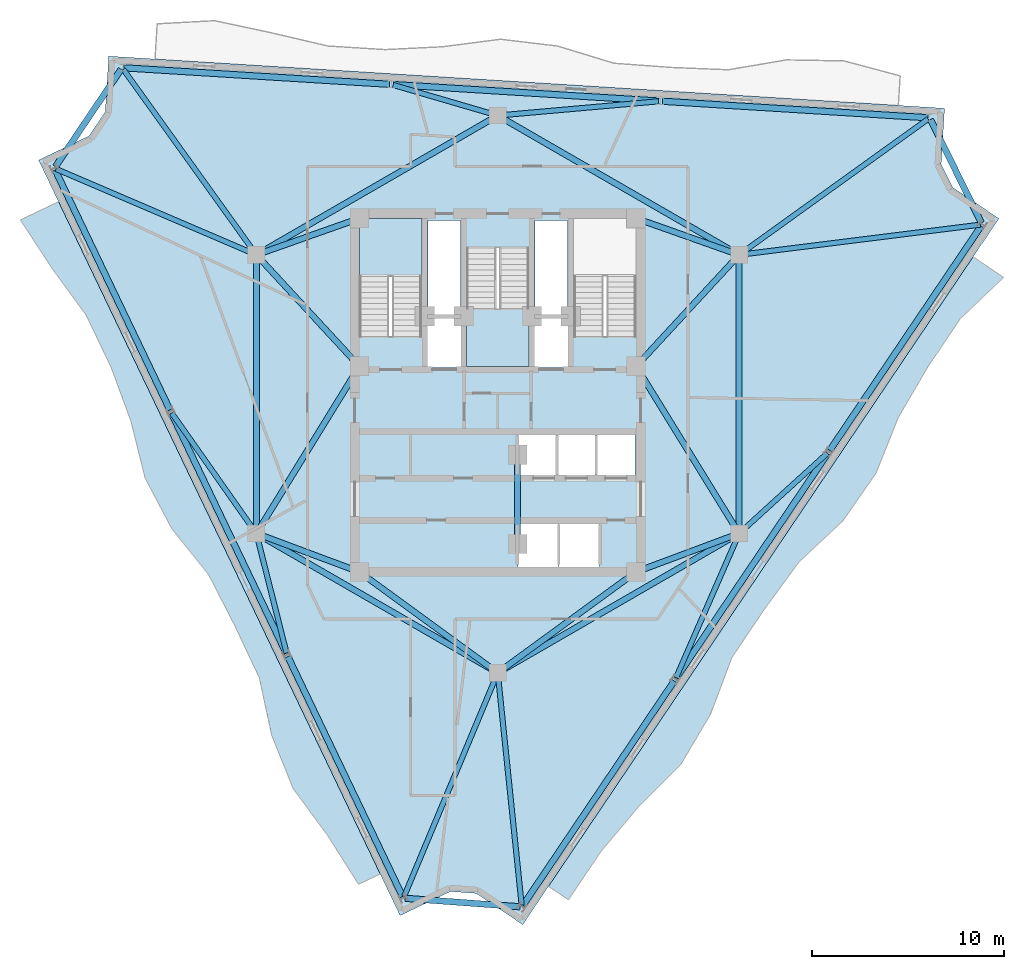
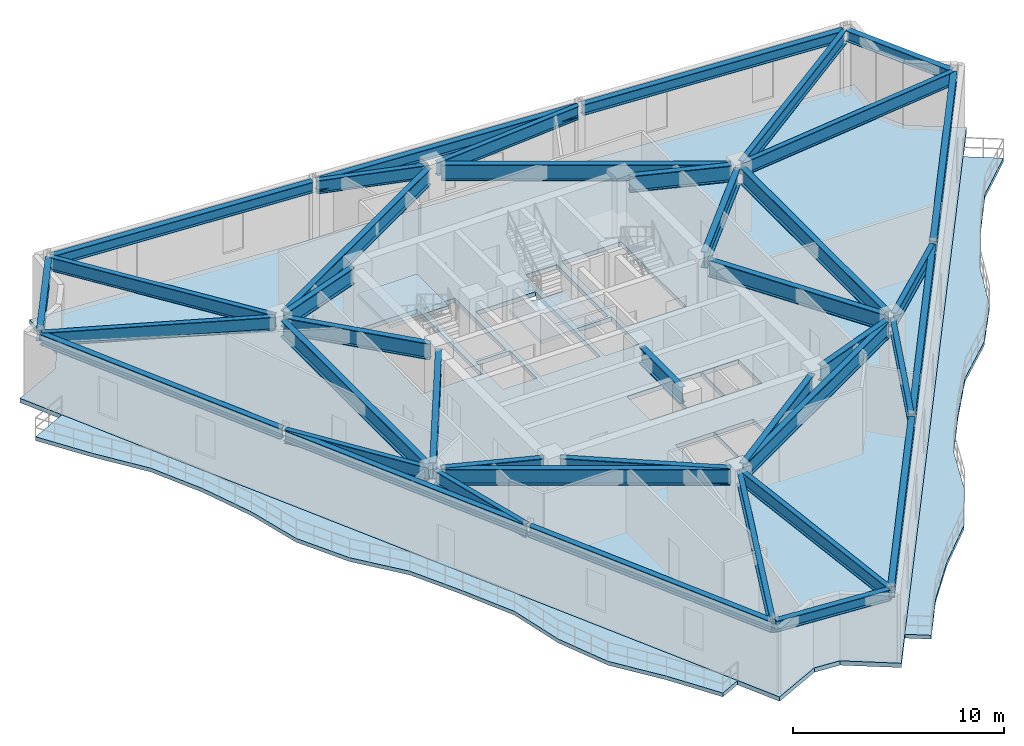
# One storey, part 4 of 11: 41 beams, 5 slabs, 2 elements without a shape of their own.
"""IFC4 building model written with IfcOpenShell, lengths in metres."""

from ifc_helpers import new_model, si_unit, direction, frame, origin, origin_2d, place, context, subcontext, project, spatial, polyline, i_section, outline, extrude, material, layer, layer_set, material_profile, profile_set, type_object, element, aggregate, save


model = new_model("IFC4")

# Units and contexts
model_context = context("Model", 3, precision=1e-05, world=origin(), true_north=direction((0.0, 1.0)))
body_context = subcontext(model_context, "Body", "Model", "MODEL_VIEW")
ifc_project = project(units=[si_unit("LENGTHUNIT", "METRE"), si_unit("AREAUNIT", "SQUARE_METRE"), si_unit("VOLUMEUNIT", "CUBIC_METRE"), si_unit("PLANEANGLEUNIT", "RADIAN"), si_unit("MASSUNIT", "GRAM", prefix="KILO")], contexts=[model_context])

# Site, building, storey
site_placement = place(None, origin())
site = spatial("IfcSite", under=ifc_project, at=site_placement, CompositionType="ELEMENT")
building_placement = place(site_placement, origin())
building = spatial("IfcBuilding", under=site, at=building_placement, Name="Apsidion Concourse Tower", CompositionType="ELEMENT")
storey_placement = place(building_placement, frame((0.0, 0.0, 314.699951171875)))
storey = spatial("IfcBuildingStorey", under=building, at=storey_placement, Name="L74", CompositionType="ELEMENT", Elevation=314.699951171875)

# Beams
ifc_material_1 = material(Name="Structural steel ASTM A992 Grade 50", Category="steel")
ifc_material_profile_1 = material_profile(ifc_material_1, i_section(OverallWidth=0.31005859375, OverallDepth=0.931884765625, WebThickness=0.02099609375, FlangeThickness=0.034423828125, at=origin_2d()), Name="W36X210")
ifc_profile_set_1 = profile_set([ifc_material_profile_1], Name="Structural steel ASTM A992 Grade 50")
beam_type_1 = type_object("IfcBeamType", Name="BM-G-W36", PredefinedType="USERDEFINED", material=ifc_profile_set_1)
beam_1_placement = place(storey_placement, frame((-12.185302734375, -7.389892578125, 3.35400390625), z_axis=(0.936913021145, -0.349562570664, 0.0), x_axis=(0.349562570664, 0.936913021145, 0.0)))
element("IfcBeam", 1, at=beam_1_placement, inside=storey, type_object=beam_type_1, Name="L74 Core Coupling Girder IC1-SC1", ObjectType="GIRDER", PredefinedType="USERDEFINED", context=body_context, shape_type="SweptSolid", body=[
    extrude(i_section(OverallWidth=0.31005859375, OverallDepth=0.931884765625, WebThickness=0.02099609375, FlangeThickness=0.034423828125, at=origin_2d()), origin(), (0.0, 0.0, 1.0), 4.921142578125),
])
beam_2_placement = place(storey_placement, frame((-12.35009765625, -6.909423828125, 3.35400390625), z_axis=(0.524524009763, 0.851395656074, 0.0), x_axis=(-0.851395656074, 0.524524009763, 0.0)))
element("IfcBeam", 2, at=beam_2_placement, inside=storey, type_object=beam_type_1, Name="L74 Core Coupling Girder IC1-SC6", ObjectType="GIRDER", PredefinedType="USERDEFINED", context=body_context, shape_type="SweptSolid", body=[
    extrude(i_section(OverallWidth=0.31005859375, OverallDepth=0.931884765625, WebThickness=0.02099609375, FlangeThickness=0.034423828125, at=origin_2d()), origin(), (0.0, 0.0, 1.0), 9.41845703125),
])
beam_3_placement = place(storey_placement, frame((12.185302734375, -7.389892578125, 3.35400390625), z_axis=(-0.936913021145, -0.349562570664, 0.0), x_axis=(0.349562570664, -0.936913021145, 0.0)))
element("IfcBeam", 3, at=beam_3_placement, inside=storey, type_object=beam_type_1, Name="L74 Core Coupling Girder IC2-SC2", ObjectType="GIRDER", PredefinedType="USERDEFINED", context=body_context, shape_type="SweptSolid", body=[
    extrude(i_section(OverallWidth=0.31005859375, OverallDepth=0.931884765625, WebThickness=0.02099609375, FlangeThickness=0.034423828125, at=origin_2d()), origin(), (0.0, 0.0, 1.0), 4.921142578125),
])
beam_4_placement = place(storey_placement, frame((12.35009765625, -6.909423828125, 3.35400390625), z_axis=(-0.524524009763, 0.851395656074, 0.0), x_axis=(-0.851395656074, -0.524524009763, 0.0)))
element("IfcBeam", 4, at=beam_4_placement, inside=storey, type_object=beam_type_1, Name="L74 Core Coupling Girder IC2-SC3", ObjectType="GIRDER", PredefinedType="USERDEFINED", context=body_context, shape_type="SweptSolid", body=[
    extrude(i_section(OverallWidth=0.31005859375, OverallDepth=0.931884765625, WebThickness=0.02099609375, FlangeThickness=0.034423828125, at=origin_2d()), origin(), (0.0, 0.0, 1.0), 9.41845703125),
])
beam_5_placement = place(storey_placement, frame((12.28857421875, 6.956298828125, 3.35400390625), z_axis=(-0.678712876106, -0.73440372535, 0.0), x_axis=(0.73440372535, -0.678712876106, 0.0)))
element("IfcBeam", 5, at=beam_5_placement, inside=storey, type_object=beam_type_1, Name="L74 Core Coupling Girder IC3-SC3", ObjectType="GIRDER", PredefinedType="USERDEFINED", context=body_context, shape_type="SweptSolid", body=[
    extrude(i_section(OverallWidth=0.31005859375, OverallDepth=0.931884765625, WebThickness=0.02099609375, FlangeThickness=0.034423828125, at=origin_2d()), origin(), (0.0, 0.0, 1.0), 7.097412109375),
])
beam_6_placement = place(storey_placement, frame((12.18310546875, 7.383544921875, 3.35400390625), z_axis=(-0.942533844539, 0.334110688094, 0.0), x_axis=(-0.334110688094, -0.942533844539, 0.0)))
element("IfcBeam", 6, at=beam_6_placement, inside=storey, type_object=beam_type_1, Name="L74 Core Coupling Girder IC3-SC4", ObjectType="GIRDER", PredefinedType="USERDEFINED", context=body_context, shape_type="SweptSolid", body=[
    extrude(i_section(OverallWidth=0.31005859375, OverallDepth=0.931884765625, WebThickness=0.02099609375, FlangeThickness=0.034423828125, at=origin_2d()), origin(), (0.0, 0.0, 1.0), 4.886962890625),
])
beam_7_placement = place(storey_placement, frame((-12.28857421875, 6.956298828125, 3.35400390625), z_axis=(0.678712876106, -0.73440372535, 0.0), x_axis=(0.73440372535, 0.678712876106, 0.0)))
element("IfcBeam", 7, at=beam_7_placement, inside=storey, type_object=beam_type_1, Name="L74 Core Coupling Girder IC5-SC6", ObjectType="GIRDER", PredefinedType="USERDEFINED", context=body_context, shape_type="SweptSolid", body=[
    extrude(i_section(OverallWidth=0.31005859375, OverallDepth=0.931884765625, WebThickness=0.02099609375, FlangeThickness=0.034423828125, at=origin_2d()), origin(), (0.0, 0.0, 1.0), 7.097412109375),
])
beam_8_placement = place(storey_placement, frame((-12.18310546875, 7.383544921875, 3.35400390625), z_axis=(0.942533844539, 0.334110688094, 0.0), x_axis=(-0.334110688094, 0.942533844539, 0.0)))
element("IfcBeam", 8, at=beam_8_placement, inside=storey, type_object=beam_type_1, Name="L74 Core Coupling Girder IC5-SC5", ObjectType="GIRDER", PredefinedType="USERDEFINED", context=body_context, shape_type="SweptSolid", body=[
    extrude(i_section(OverallWidth=0.31005859375, OverallDepth=0.931884765625, WebThickness=0.02099609375, FlangeThickness=0.034423828125, at=origin_2d()), origin(), (0.0, 0.0, 1.0), 4.886962890625),
])
for number, where, z_axis, x_axis, name in (
    (9, (-0.3232421875, -14.264404296875, 3.35400390625), (-0.807993498909, 0.589191399905, 0.0), (-0.589191399905, -0.807993498909, 0.0), "L74 Core Coupling Girder IC6-SC1"),
    (10, (0.3232421875, -14.264404296875, 3.35400390625), (0.807993498909, 0.589191399905, 0.0), (-0.589191399905, 0.807993498909, 0.0), "L74 Core Coupling Girder IC6-SC2"),
):
    element("IfcBeam", number, at=place(storey_placement, frame(where, z_axis=z_axis, x_axis=x_axis)), inside=storey, type_object=beam_type_1, Name=name, ObjectType="GIRDER", PredefinedType="USERDEFINED", context=body_context, shape_type="SweptSolid", body=[
        extrude(i_section(OverallWidth=0.31005859375, OverallDepth=0.931884765625, WebThickness=0.02099609375, FlangeThickness=0.034423828125, at=origin_2d()), origin(), (0.0, 0.0, 1.0), 8.11083984375),
    ])
beam_9_placement = place(storey_placement, frame((-12.56005859375, -6.85009765625, 3.35400390625), z_axis=(0.0, 1.0, 0.0), x_axis=(-1.0, 0.0, 0.0)))
element("IfcBeam", 11, at=beam_9_placement, inside=storey, type_object=beam_type_1, Name="L74 Core Coupling Girder IC1-IC5", ObjectType="GIRDER", PredefinedType="USERDEFINED", context=body_context, shape_type="SweptSolid", body=[
    extrude(i_section(OverallWidth=0.31005859375, OverallDepth=0.931884765625, WebThickness=0.02099609375, FlangeThickness=0.034423828125, at=origin_2d()), origin(), (0.0, 0.0, 1.0), 13.7001953125),
])
for number, where, z_axis, x_axis, name in (
    (12, (-12.213623046875, 7.449951171875, 3.35400390625), (0.866070471464, 0.499921932364, 0.0), (-0.499921932364, 0.866070471464, 0.0), "L74 Core Coupling Girder IC5-IC4"),
    (13, (0.346435546875, 14.300048828125, 3.35400390625), (0.866070471464, -0.499921932364, 0.0), (0.499921932364, 0.866070471464, 0.0), "L74 Core Coupling Girder IC4-IC3"),
):
    element("IfcBeam", number, at=place(storey_placement, frame(where, z_axis=z_axis, x_axis=x_axis)), inside=storey, type_object=beam_type_1, Name=name, ObjectType="GIRDER", PredefinedType="USERDEFINED", context=body_context, shape_type="SweptSolid", body=[
        extrude(i_section(OverallWidth=0.31005859375, OverallDepth=0.931884765625, WebThickness=0.02099609375, FlangeThickness=0.034423828125, at=origin_2d()), origin(), (0.0, 0.0, 1.0), 13.702392578125),
    ])
beam_10_placement = place(storey_placement, frame((12.56005859375, 6.85009765625, 3.35400390625), z_axis=(0.0, -1.0, 0.0), x_axis=(1.0, 0.0, 0.0)))
element("IfcBeam", 14, at=beam_10_placement, inside=storey, type_object=beam_type_1, Name="L74 Core Coupling Girder IC3-IC2", ObjectType="GIRDER", PredefinedType="USERDEFINED", context=body_context, shape_type="SweptSolid", body=[
    extrude(i_section(OverallWidth=0.31005859375, OverallDepth=0.931884765625, WebThickness=0.02099609375, FlangeThickness=0.034423828125, at=origin_2d()), origin(), (0.0, 0.0, 1.0), 13.7001953125),
])
for number, where, z_axis, x_axis, name in (
    (15, (12.213623046875, -7.449951171875, 3.35400390625), (-0.866070471464, -0.499921932364, 0.0), (0.499921932364, -0.866070471464, 0.0), "L74 Core Coupling Girder IC2-IC6"),
    (16, (-0.346435546875, -14.300048828125, 3.35400390625), (-0.866070471464, 0.499921932364, 0.0), (-0.499921932364, -0.866070471464, 0.0), "L74 Core Coupling Girder IC6-IC1"),
):
    element("IfcBeam", number, at=place(storey_placement, frame(where, z_axis=z_axis, x_axis=x_axis)), inside=storey, type_object=beam_type_1, Name=name, ObjectType="GIRDER", PredefinedType="USERDEFINED", context=body_context, shape_type="SweptSolid", body=[
        extrude(i_section(OverallWidth=0.31005859375, OverallDepth=0.931884765625, WebThickness=0.02099609375, FlangeThickness=0.034423828125, at=origin_2d()), origin(), (0.0, 0.0, 1.0), 13.702392578125),
    ])
beam_11_placement = place(storey_placement, frame((1.02490234375, -3.550048828125, 3.35400390625), z_axis=(0.0, -1.0, 0.0), x_axis=(1.0, 0.0, 0.0)))
element("IfcBeam", 17, at=beam_11_placement, inside=storey, type_object=beam_type_1, Name="L74 Core Coupling Girder CC5-CC6", ObjectType="GIRDER", PredefinedType="USERDEFINED", context=body_context, shape_type="SweptSolid", body=[
    extrude(i_section(OverallWidth=0.31005859375, OverallDepth=0.931884765625, WebThickness=0.02099609375, FlangeThickness=0.034423828125, at=origin_2d()), origin(), (0.0, 0.0, 1.0), 3.849853515625),
])
ifc_material_profile_2 = material_profile(ifc_material_1, i_section(OverallWidth=0.324951171875, OverallDepth=0.616943359375, WebThickness=0.013916015625, FlangeThickness=0.021484375, at=origin_2d()), Name="W24X117")
ifc_profile_set_2 = profile_set([ifc_material_profile_2], Name="Structural steel ASTM A992 Grade 50")
beam_type_2 = type_object("IfcBeamType", Name="BM-SP-W24", PredefinedType="SPANDREL", material=ifc_profile_set_2)
beam_12_placement = place(storey_placement, frame((-23.0302734375, 11.66845703125, 3.511474609375), z_axis=(0.431360581796, -0.902179609874, 0.0), x_axis=(0.902179609874, 0.431360581796, 0.0)))
element("IfcBeam", 18, at=beam_12_placement, inside=storey, type_object=beam_type_2, Name="L74 Perimeter Spandrel Girder SP-01", PredefinedType="SPANDREL", context=body_context, shape_type="SweptSolid", body=[
    extrude(i_section(OverallWidth=0.324951171875, OverallDepth=0.616943359375, WebThickness=0.013916015625, FlangeThickness=0.021484375, at=origin_2d()), origin(), (0.0, 0.0, 1.0), 13.834716796875),
])
beam_13_placement = place(storey_placement, frame((-16.976318359375, -0.993408203125, 3.511474609375), z_axis=(0.43136744944, -0.902176326204, 0.0), x_axis=(0.902176326204, 0.43136744944, 0.0)))
element("IfcBeam", 19, at=beam_13_placement, inside=storey, type_object=beam_type_2, Name="L74 Perimeter Spandrel Girder SP-02", PredefinedType="SPANDREL", context=body_context, shape_type="SweptSolid", body=[
    extrude(i_section(OverallWidth=0.324951171875, OverallDepth=0.616943359375, WebThickness=0.013916015625, FlangeThickness=0.021484375, at=origin_2d()), origin(), (0.0, 0.0, 1.0), 13.83447265625),
])
beam_14_placement = place(storey_placement, frame((-10.92236328125, -13.655029296875, 3.511474609375), z_axis=(0.431360581796, -0.902179609874, 0.0), x_axis=(0.902179609874, 0.431360581796, 0.0)))
element("IfcBeam", 20, at=beam_14_placement, inside=storey, type_object=beam_type_2, Name="L74 Perimeter Spandrel Girder SP-03", PredefinedType="SPANDREL", context=body_context, shape_type="SweptSolid", body=[
    extrude(i_section(OverallWidth=0.324951171875, OverallDepth=0.616943359375, WebThickness=0.013916015625, FlangeThickness=0.021484375, at=origin_2d()), origin(), (0.0, 0.0, 1.0), 13.834716796875),
])
beam_15_placement = place(storey_placement, frame((-4.81201171875, -26.234130859375, 3.511474609375), z_axis=(0.997286428853, -0.073619147134, 0.0), x_axis=(0.073619147134, 0.997286428853, 0.0)))
element("IfcBeam", 21, at=beam_15_placement, inside=storey, type_object=beam_type_2, Name="L74 Perimeter Spandrel Girder SP-04", PredefinedType="SPANDREL", context=body_context, shape_type="SweptSolid", body=[
    extrude(i_section(OverallWidth=0.324951171875, OverallDepth=0.616943359375, WebThickness=0.013916015625, FlangeThickness=0.021484375, at=origin_2d()), origin(), (0.0, 0.0, 1.0), 5.982421875),
])
beam_16_placement = place(storey_placement, frame((1.309814453125, -26.59912109375, 3.511474609375), z_axis=(0.559201815781, 0.829031561056, 0.0), x_axis=(-0.829031561056, 0.559201815781, 0.0)))
element("IfcBeam", 22, at=beam_16_placement, inside=storey, type_object=beam_type_2, Name="L74 Perimeter Spandrel Girder SP-05", PredefinedType="SPANDREL", context=body_context, shape_type="SweptSolid", body=[
    extrude(i_section(OverallWidth=0.324951171875, OverallDepth=0.616943359375, WebThickness=0.013916015625, FlangeThickness=0.021484375, at=origin_2d()), origin(), (0.0, 0.0, 1.0), 14.07958984375),
])
beam_17_placement = place(storey_placement, frame((9.294921875, -14.760986328125, 3.511474609375), z_axis=(0.559189897853, 0.829039599862, 0.0), x_axis=(-0.829039599862, 0.559189897853, 0.0)))
element("IfcBeam", 23, at=beam_17_placement, inside=storey, type_object=beam_type_2, Name="L74 Perimeter Spandrel Girder SP-06", PredefinedType="SPANDREL", context=body_context, shape_type="SweptSolid", body=[
    extrude(i_section(OverallWidth=0.324951171875, OverallDepth=0.616943359375, WebThickness=0.013916015625, FlangeThickness=0.021484375, at=origin_2d()), origin(), (0.0, 0.0, 1.0), 14.079345703125),
])
beam_18_placement = place(storey_placement, frame((17.27978515625, -2.9228515625, 3.511474609375), z_axis=(0.559201815781, 0.829031561056, 0.0), x_axis=(-0.829031561056, 0.559201815781, 0.0)))
element("IfcBeam", 24, at=beam_18_placement, inside=storey, type_object=beam_type_2, Name="L74 Perimeter Spandrel Girder SP-07", PredefinedType="SPANDREL", context=body_context, shape_type="SweptSolid", body=[
    extrude(i_section(OverallWidth=0.324951171875, OverallDepth=0.616943359375, WebThickness=0.013916015625, FlangeThickness=0.021484375, at=origin_2d()), origin(), (0.0, 0.0, 1.0), 14.07958984375),
])
beam_19_placement = place(storey_placement, frame((25.164794921875, 8.922119140625, 3.511474609375), z_axis=(-0.441884134894, 0.897072132734, 0.0), x_axis=(-0.897072132734, -0.441884134894, 0.0)))
element("IfcBeam", 25, at=beam_19_placement, inside=storey, type_object=beam_type_2, Name="L74 Perimeter Spandrel Girder SP-08", PredefinedType="SPANDREL", context=body_context, shape_type="SweptSolid", body=[
    extrude(i_section(OverallWidth=0.324951171875, OverallDepth=0.616943359375, WebThickness=0.013916015625, FlangeThickness=0.021484375, at=origin_2d()), origin(), (0.0, 0.0, 1.0), 5.982421875),
])
beam_20_placement = place(storey_placement, frame((22.377197265625, 14.384765625, 3.511474609375), z_axis=(-0.998077561187, 0.06197726886, 0.0), x_axis=(-0.06197726886, -0.998077561187, 0.0)))
element("IfcBeam", 26, at=beam_20_placement, inside=storey, type_object=beam_type_2, Name="L74 Perimeter Spandrel Girder SP-09", PredefinedType="SPANDREL", context=body_context, shape_type="SweptSolid", body=[
    extrude(i_section(OverallWidth=0.324951171875, OverallDepth=0.616943359375, WebThickness=0.013916015625, FlangeThickness=0.021484375, at=origin_2d()), origin(), (0.0, 0.0, 1.0), 13.83447265625),
])
for number, where, z_axis, x_axis, name in (
    (27, (8.36962890625, 15.254638671875, 3.511474609375), (-0.998076537228, 0.061993756414, 0.0), (-0.061993756414, -0.998076537228, 0.0), "L74 Perimeter Spandrel Girder SP-10"),
    (28, (-5.637939453125, 16.12451171875, 3.511474609375), (-0.998076537228, 0.061993756414, 0.0), (-0.061993756414, -0.998076537228, 0.0), "L74 Perimeter Spandrel Girder SP-11"),
):
    element("IfcBeam", number, at=place(storey_placement, frame(where, z_axis=z_axis, x_axis=x_axis)), inside=storey, type_object=beam_type_2, Name=name, PredefinedType="SPANDREL", context=body_context, shape_type="SweptSolid", body=[
        extrude(i_section(OverallWidth=0.324951171875, OverallDepth=0.616943359375, WebThickness=0.013916015625, FlangeThickness=0.021484375, at=origin_2d()), origin(), (0.0, 0.0, 1.0), 13.834716796875),
    ])
beam_21_placement = place(storey_placement, frame((-19.601806640625, 16.905517578125, 3.511474609375), z_axis=(-0.559174891641, -0.829049721403, 0.0), x_axis=(0.829049721403, -0.559174891641, 0.0)))
element("IfcBeam", 29, at=beam_21_placement, inside=storey, type_object=beam_type_2, Name="L74 Perimeter Spandrel Girder SP-12", PredefinedType="SPANDREL", context=body_context, shape_type="SweptSolid", body=[
    extrude(i_section(OverallWidth=0.324951171875, OverallDepth=0.616943359375, WebThickness=0.013916015625, FlangeThickness=0.021484375, at=origin_2d()), origin(), (0.0, 0.0, 1.0), 6.108154296875),
])
ifc_material_profile_3 = material_profile(ifc_material_1, i_section(OverallWidth=0.26806640625, OverallDepth=0.77001953125, WebThickness=0.015625, FlangeThickness=0.025390625, at=origin_2d()), Name="W30X132")
ifc_profile_set_3 = profile_set([ifc_material_profile_3], Name="Structural steel ASTM A992 Grade 50")
beam_type_3 = type_object("IfcBeamType", Name="BM-SP-W30", PredefinedType="SPANDREL", material=ifc_profile_set_3)
beam_22_placement = place(storey_placement, frame((-12.76220703125, 7.336669921875, 3.43505859375), z_axis=(-0.919050742632, 0.3941392298, 0.0), x_axis=(-0.3941392298, -0.919050742632, 0.0)))
element("IfcBeam", 30, at=beam_22_placement, inside=storey, type_object=beam_type_3, Name="L74 Radial Floor Girder RAD-01", PredefinedType="SPANDREL", context=body_context, shape_type="SweptSolid", body=[
    extrude(i_section(OverallWidth=0.26806640625, OverallDepth=0.77001953125, WebThickness=0.015625, FlangeThickness=0.025390625, at=origin_2d()), origin(), (0.0, 0.0, 1.0), 11.119384765625),
])
beam_23_placement = place(storey_placement, frame((-12.6865234375, -7.070068359375, 3.43505859375), z_axis=(-0.574897998258, 0.818225086146, 0.0), x_axis=(-0.818225086146, -0.574897998258, 0.0)))
element("IfcBeam", 31, at=beam_23_placement, inside=storey, type_object=beam_type_3, Name="L74 Radial Floor Girder RAD-02", PredefinedType="SPANDREL", context=body_context, shape_type="SweptSolid", body=[
    extrude(i_section(OverallWidth=0.26806640625, OverallDepth=0.77001953125, WebThickness=0.015625, FlangeThickness=0.025390625, at=origin_2d()), origin(), (0.0, 0.0, 1.0), 7.436767578125),
])
beam_24_placement = place(storey_placement, frame((-12.506103515625, -7.46337890625, 3.43505859375), z_axis=(0.244807492941, -0.969571705136, 0.0), x_axis=(0.969571705136, 0.244807492941, 0.0)))
element("IfcBeam", 32, at=beam_24_placement, inside=storey, type_object=beam_type_3, Name="L74 Radial Floor Girder RAD-03", PredefinedType="SPANDREL", context=body_context, shape_type="SweptSolid", body=[
    extrude(i_section(OverallWidth=0.26806640625, OverallDepth=0.77001953125, WebThickness=0.015625, FlangeThickness=0.025390625, at=origin_2d()), origin(), (0.0, 0.0, 1.0), 6.193115234375),
])
beam_25_placement = place(storey_placement, frame((-0.0849609375, -14.702880859375, 3.43505859375), z_axis=(-0.386326743156, -0.922361993755, 0.0), x_axis=(0.922361993755, -0.386326743156, 0.0)))
element("IfcBeam", 33, at=beam_25_placement, inside=storey, type_object=beam_type_3, Name="L74 Radial Floor Girder RAD-04", PredefinedType="SPANDREL", context=body_context, shape_type="SweptSolid", body=[
    extrude(i_section(OverallWidth=0.26806640625, OverallDepth=0.77001953125, WebThickness=0.015625, FlangeThickness=0.025390625, at=origin_2d()), origin(), (0.0, 0.0, 1.0), 12.393798828125),
])
beam_26_placement = place(storey_placement, frame((0.0224609375, -14.71875, 3.43505859375), z_axis=(0.10241374793, -0.994741888248, 0.0), x_axis=(0.994741888248, 0.10241374793, 0.0)))
element("IfcBeam", 34, at=beam_26_placement, inside=storey, type_object=beam_type_3, Name="L74 Radial Floor Girder RAD-05", PredefinedType="SPANDREL", context=body_context, shape_type="SweptSolid", body=[
    extrude(i_section(OverallWidth=0.26806640625, OverallDepth=0.77001953125, WebThickness=0.015625, FlangeThickness=0.025390625, at=origin_2d()), origin(), (0.0, 0.0, 1.0), 11.926513671875),
])
beam_27_placement = place(storey_placement, frame((12.4716796875, -7.45166015625, 3.43505859375), z_axis=(-0.400675776745, -0.916219909154, 0.0), x_axis=(0.916219909154, -0.400675776745, 0.0)))
element("IfcBeam", 35, at=beam_27_placement, inside=storey, type_object=beam_type_3, Name="L74 Radial Floor Girder RAD-06", PredefinedType="SPANDREL", context=body_context, shape_type="SweptSolid", body=[
    extrude(i_section(OverallWidth=0.26806640625, OverallDepth=0.77001953125, WebThickness=0.015625, FlangeThickness=0.025390625, at=origin_2d()), origin(), (0.0, 0.0, 1.0), 7.968017578125),
])
beam_28_placement = place(storey_placement, frame((12.72265625, -7.101806640625, 3.43505859375), z_axis=(0.739604100637, 0.673042178709, 0.0), x_axis=(-0.673042178709, 0.739604100637, 0.0)))
element("IfcBeam", 36, at=beam_28_placement, inside=storey, type_object=beam_type_3, Name="L74 Radial Floor Girder RAD-07", PredefinedType="SPANDREL", context=body_context, shape_type="SweptSolid", body=[
    extrude(i_section(OverallWidth=0.26806640625, OverallDepth=0.77001953125, WebThickness=0.015625, FlangeThickness=0.025390625, at=origin_2d()), origin(), (0.0, 0.0, 1.0), 5.986083984375),
])
beam_29_placement = place(storey_placement, frame((12.7783203125, 7.27734375, 3.43505859375), z_axis=(0.99226487514, 0.124138702924, 0.0), x_axis=(-0.124138702924, 0.99226487514, 0.0)))
element("IfcBeam", 37, at=beam_29_placement, inside=storey, type_object=beam_type_3, Name="L74 Radial Floor Girder RAD-08", PredefinedType="SPANDREL", context=body_context, shape_type="SweptSolid", body=[
    extrude(i_section(OverallWidth=0.26806640625, OverallDepth=0.77001953125, WebThickness=0.015625, FlangeThickness=0.025390625, at=origin_2d()), origin(), (0.0, 0.0, 1.0), 12.427490234375),
])
beam_30_placement = place(storey_placement, frame((12.738525390625, 7.37841796875, 3.43505859375), z_axis=(0.811991962087, 0.583668616174, 0.0), x_axis=(-0.583668616174, 0.811991962087, 0.0)))
element("IfcBeam", 38, at=beam_30_placement, inside=storey, type_object=beam_type_3, Name="L74 Radial Floor Girder RAD-09", PredefinedType="SPANDREL", context=body_context, shape_type="SweptSolid", body=[
    extrude(i_section(OverallWidth=0.26806640625, OverallDepth=0.77001953125, WebThickness=0.015625, FlangeThickness=0.025390625, at=origin_2d()), origin(), (0.0, 0.0, 1.0), 11.8935546875),
])
beam_31_placement = place(storey_placement, frame((0.218994140625, 14.519287109375, 3.43505859375), z_axis=(0.99611631584, 0.088047063082, 0.0), x_axis=(-0.088047063082, 0.99611631584, 0.0)))
element("IfcBeam", 39, at=beam_31_placement, inside=storey, type_object=beam_type_3, Name="L74 Radial Floor Girder RAD-10", PredefinedType="SPANDREL", context=body_context, shape_type="SweptSolid", body=[
    extrude(i_section(OverallWidth=0.26806640625, OverallDepth=0.77001953125, WebThickness=0.015625, FlangeThickness=0.025390625, at=origin_2d()), origin(), (0.0, 0.0, 1.0), 8.1826171875),
])
beam_32_placement = place(storey_placement, frame((-0.211181640625, 14.561767578125, 3.43505859375), z_axis=(-0.959858385002, 0.28048508114, 0.0), x_axis=(-0.28048508114, -0.959858385002, 0.0)))
element("IfcBeam", 40, at=beam_32_placement, inside=storey, type_object=beam_type_3, Name="L74 Radial Floor Girder RAD-11", PredefinedType="SPANDREL", context=body_context, shape_type="SweptSolid", body=[
    extrude(i_section(OverallWidth=0.26806640625, OverallDepth=0.77001953125, WebThickness=0.015625, FlangeThickness=0.025390625, at=origin_2d()), origin(), (0.0, 0.0, 1.0), 5.44970703125),
])
beam_33_placement = place(storey_placement, frame((-12.688232421875, 7.4287109375, 3.43505859375), z_axis=(-0.582890152065, 0.812550964941, 0.0), x_axis=(-0.812550964941, -0.582890152065, 0.0)))
element("IfcBeam", 41, at=beam_33_placement, inside=storey, type_object=beam_type_3, Name="L74 Radial Floor Girder RAD-12", PredefinedType="SPANDREL", context=body_context, shape_type="SweptSolid", body=[
    extrude(i_section(OverallWidth=0.26806640625, OverallDepth=0.77001953125, WebThickness=0.015625, FlangeThickness=0.025390625, at=origin_2d()), origin(), (0.0, 0.0, 1.0), 11.664794921875),
])

# Slabs
ifc_material_2 = material(Name="Concrete C50/60", Category="concrete")
ifc_layer_1 = layer(ifc_material_2, 0.219970703125)
ifc_layer_set_1 = layer_set([ifc_layer_1], Name="Concrete C50/60")
slab_type_1 = type_object("IfcSlabType", Name="SL-BAL-220", PredefinedType="FLOOR", material=ifc_layer_set_1)
slab_1_placement = place(storey_placement, frame((0.0, 0.0, -0.219970703125)))
element("IfcSlab", 42, at=slab_1_placement, inside=storey, type_object=slab_type_1, Name="L74 Face 1 Rippling Balcony Slab", PredefinedType="FLOOR", context=body_context, shape_type="SweptSolid", body=[
    extrude(outline(polyline([(-22.85546875, 10.015869140625), (-21.56787109375, 7.324951171875), (-20.280517578125, 4.634033203125), (-18.992919921875, 1.943115234375), (-17.70556640625, -0.747802734375), (-16.41796875, -3.438720703125), (-15.130615234375, -6.129638671875), (-13.843017578125, -8.820556640625), (-12.555419921875, -11.51171875), (-11.26806640625, -14.202392578125), (-9.980712890625, -16.893310546875), (-8.693115234375, -19.58447265625), (-7.405517578125, -22.275390625), (-6.1181640625, -24.96630859375), (-7.24560546875, -25.505615234375), (-8.8505859375, -22.966552734375), (-10.64794921875, -20.519775390625), (-11.764892578125, -17.747314453125), (-12.409912109375, -14.748779296875), (-13.68310546875, -12.051025390625), (-15.042236328125, -9.394287109375), (-16.95947265625, -7.0048828125), (-18.35009765625, -4.36328125), (-19.088134765625, -1.4091796875), (-20.12060546875, 1.403564453125), (-21.407958984375, 4.094482421875), (-23.194091796875, 6.547119140625), (-24.83984375, 9.06640625), (-22.85546875, 10.015869140625)])), origin(), (0.0, 0.0, 1.0), 0.219970703125),
])
slab_2_placement = place(storey_placement, frame((0.0, 0.0, -0.219970703125)))
element("IfcSlab", 43, at=slab_2_placement, inside=storey, type_object=slab_type_1, Name="L74 Face 2 Rippling Balcony Slab", PredefinedType="FLOOR", context=body_context, shape_type="SweptSolid", body=[
    extrude(outline(polyline([(2.639404296875, -25.61181640625), (4.339111328125, -23.091796875), (6.038818359375, -20.572021484375), (7.73828125, -18.052001953125), (9.43798828125, -15.531982421875), (11.1376953125, -13.01220703125), (12.83740234375, -10.4921875), (14.537353515625, -7.972412109375), (16.237060546875, -5.452392578125), (17.936767578125, -2.9326171875), (19.636474609375, -0.41259765625), (21.336181640625, 2.107421875), (23.035888671875, 4.627197265625), (24.735595703125, 7.147216796875), (26.322509765625, 6.076904296875), (24.072021484375, 3.92822265625), (22.372314453125, 1.408447265625), (20.837890625, -1.222900390625), (19.685791015625, -4.1123046875), (17.947265625, -6.606201171875), (15.67138671875, -8.7373046875), (13.873779296875, -11.19140625), (12.1787109375, -13.714111328125), (11.079833984375, -16.639404296875), (9.5302734375, -19.2607421875), (7.34033203125, -21.449951171875), (5.375244140625, -23.791015625), (3.675537109375, -26.310791015625), (2.639404296875, -25.61181640625)])), origin(), (0.0, 0.0, 1.0), 0.219970703125),
])
ifc_layer_2 = layer(ifc_material_2, 0.25)
ifc_layer_set_2 = layer_set([ifc_layer_2], Name="Concrete C50/60")
slab_type_2 = type_object("IfcSlabType", Name="SL-FLR-250", PredefinedType="FLOOR", material=ifc_layer_set_2)
slab_3_placement = place(storey_placement, frame((0.0, 0.0, -0.25)))
element("IfcSlab", 44, at=slab_3_placement, inside=storey, type_object=slab_type_2, Name="L74 Structural Floor Slab", PredefinedType="FLOOR", context=body_context, shape_type="SweptSolid", body=[
    extrude(outline(polyline([(-20.24365234375, 17.58837890625), (-20.424560546875, 14.688232421875), (-21.27001953125, 13.43505859375), (-23.89111328125, 12.180908203125), (-5.082275390625, -27.131103515625), (-2.461181640625, -25.877197265625), (-1.11181640625, -25.9765625), (1.297119140625, -27.6015625), (26.07763671875, 9.136962890625), (23.668701171875, 10.76171875), (23.07080078125, 11.9755859375), (23.251708984375, 14.875732421875), (-20.24365234375, 17.58837890625)]), holes=[polyline([(-3.949951171875, 3.0), (-3.949951171875, 9.14990234375), (-7.199951171875, 9.14990234375), (-7.199951171875, 3.0), (-3.949951171875, 3.0)]), polyline([(7.199951171875, 3.0), (7.199951171875, 9.14990234375), (3.949951171875, 9.14990234375), (3.949951171875, 3.0), (7.199951171875, 3.0)]), polyline([(-1.625, 7.60009765625), (-1.625, 1.449951171875), (1.625, 1.449951171875), (1.625, 7.60009765625), (-1.625, 7.60009765625)]), polyline([(1.054931640625, -4.300048828125), (3.044921875, -4.300048828125), (3.044921875, -2.050048828125), (1.054931640625, -2.050048828125), (1.054931640625, -4.300048828125)]), polyline([(3.10498046875, -4.300048828125), (5.094970703125, -4.300048828125), (5.094970703125, -2.050048828125), (3.10498046875, -2.050048828125), (3.10498046875, -4.300048828125)]), polyline([(5.155029296875, -4.300048828125), (7.14501953125, -4.300048828125), (7.14501953125, -2.050048828125), (5.155029296875, -2.050048828125), (5.155029296875, -4.300048828125)]), polyline([(1.044921875, -9.0), (3.155029296875, -9.0), (3.155029296875, -6.64990234375), (1.044921875, -6.64990234375), (1.044921875, -9.0)]), polyline([(3.195068359375, -9.0), (5.304931640625, -9.0), (5.304931640625, -6.64990234375), (3.195068359375, -6.64990234375), (3.195068359375, -9.0)]), polyline([(-3.7099609375, 1.39990234375), (-1.85009765625, 1.39990234375), (-1.85009765625, 4.0), (-3.7099609375, 4.0), (-3.7099609375, 1.39990234375)]), polyline([(1.85009765625, 1.39990234375), (3.7099609375, 1.39990234375), (3.7099609375, 4.0), (1.85009765625, 4.0), (1.85009765625, 1.39990234375)]), polyline([(-3.6201171875, 4.14990234375), (-1.93994140625, 4.14990234375), (-1.93994140625, 9.050048828125), (-3.6201171875, 9.050048828125), (-3.6201171875, 4.14990234375)]), polyline([(1.93994140625, 4.14990234375), (3.6201171875, 4.14990234375), (3.6201171875, 9.050048828125), (1.93994140625, 9.050048828125), (1.93994140625, 4.14990234375)])]), origin(), (0.0, 0.0, 1.0), 0.25),
])

# Stair, slab
ifc_material_3 = material(Name="Precast concrete C40/50", Category="concrete")
stair_type = type_object("IfcStairType", Name="ST-DL-1550", PredefinedType="HALF_TURN_STAIR", material=ifc_material_3)
stair_1_placement = place(storey_placement, origin())
stair_1 = element("IfcStair", 45, at=stair_1_placement, inside=storey, type_object=stair_type, Name="L74 Protected Core Exit Stair ST1", PredefinedType="HALF_TURN_STAIR")
ifc_layer_3 = layer(ifc_material_2, 0.199951171875)
ifc_layer_set_3 = layer_set([ifc_layer_3], Name="Concrete C50/60")
slab_type_3 = type_object("IfcSlabType", Name="SL-ST-LAND-200", PredefinedType="LANDING", material=ifc_layer_set_3)
slab_4_placement = place(storey_placement, frame((0.0, 0.0, 1.85009765625)))
slab_4 = element("IfcSlab", 46, at=slab_4_placement, type_object=slab_type_3, Name="ST1 landing 1", PredefinedType="LANDING", context=body_context, shape_type="SweptSolid", body=[
    extrude(outline(polyline([(-3.949951171875, 6.135009765625), (-3.949951171875, 9.14990234375), (-7.199951171875, 9.14990234375), (-7.199951171875, 6.135009765625), (-3.949951171875, 6.135009765625)])), origin(), (0.0, 0.0, 1.0), 0.199951171875),
])
aggregate(stair_1, [slab_4])

stair_2_placement = place(storey_placement, origin())
stair_2 = element("IfcStair", 47, at=stair_2_placement, inside=storey, type_object=stair_type, Name="L74 Protected Core Exit Stair ST3", PredefinedType="HALF_TURN_STAIR")
slab_5_placement = place(storey_placement, frame((0.0, 0.0, 1.85009765625)))
slab_5 = element("IfcSlab", 48, at=slab_5_placement, type_object=slab_type_3, Name="ST3 landing 1", PredefinedType="LANDING", context=body_context, shape_type="SweptSolid", body=[
    extrude(outline(polyline([(-1.625, 4.465087890625), (-1.625, 1.449951171875), (1.625, 1.449951171875), (1.625, 4.465087890625), (-1.625, 4.465087890625)])), origin(), (0.0, 0.0, 1.0), 0.199951171875),
])
aggregate(stair_2, [slab_5])

save(model, "model.ifc")
